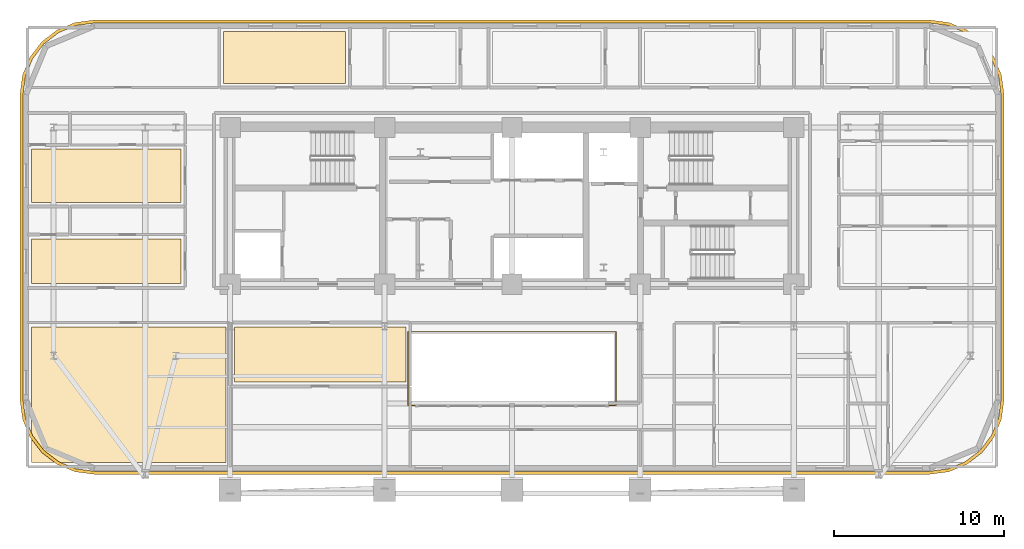
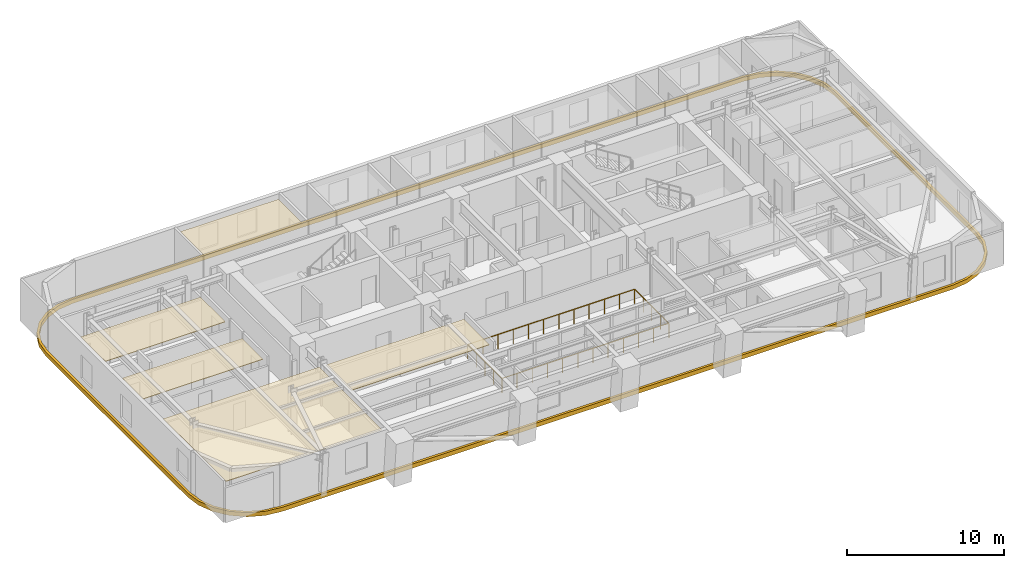
# One storey, part 13 of 15: 6 coverings, 1 railing.
"""IFC4 building model written with IfcOpenShell, lengths in metres."""

from ifc_helpers import new_model, si_unit, direction, frame, origin, origin_2d, place, context, subcontext, project, spatial, polyline, rectangle, outline, extrude, material, layer, layer_set, type_object, element, save


model = new_model("IFC4")

# Units and contexts
model_context = context("Model", 3, precision=1e-05, world=origin(), true_north=direction((0.0, 1.0)))
body_context = subcontext(model_context, "Body", "Model", "MODEL_VIEW")
ifc_project = project(units=[si_unit("LENGTHUNIT", "METRE"), si_unit("AREAUNIT", "SQUARE_METRE"), si_unit("VOLUMEUNIT", "CUBIC_METRE"), si_unit("PLANEANGLEUNIT", "RADIAN"), si_unit("MASSUNIT", "GRAM", prefix="KILO")], contexts=[model_context])

# Site, building, storey
site_placement = place(None, origin())
site = spatial("IfcSite", under=ifc_project, at=site_placement, CompositionType="ELEMENT")
building_placement = place(site_placement, origin())
building = spatial("IfcBuilding", under=site, at=building_placement, Name="Zarnavel Station Tower", CompositionType="ELEMENT")
storey_placement = place(building_placement, frame((0.0, 0.0, 115.300048828125)))
storey = spatial("IfcBuildingStorey", under=building, at=storey_placement, Name="L31", CompositionType="ELEMENT", Elevation=115.300048828125)

# Coverings
ifc_material_1 = material(Name="Perforated Gypsum and Mineral-Wool Acoustic Ceiling", Category="concrete")
ifc_layer = layer(ifc_material_1, 0.0400390625)
ifc_layer_set = layer_set([ifc_layer], Name="COV_CEIL_ACOUSTIC")
covering_type_1 = type_object("IfcCoveringType", Name="COV_CEIL_ACOUSTIC", PredefinedType="CEILING", material=ifc_layer_set)
covering_1_placement = place(storey_placement, frame((0.0, 0.0, 2.919921875)))
element("IfcCovering", 1, at=covering_1_placement, inside=storey, type_object=covering_type_1, Name="L31 FNW1R Acoustic Ceiling", PredefinedType="CEILING", context=body_context, shape_type="SweptSolid", body=[
    extrude(outline(polyline([(0.510009765625, 27.85009765625), (9.300048828125, 27.85009765625), (9.300048828125, 30.490966796875), (0.510009765625, 30.490966796875), (0.510009765625, 27.85009765625)])), origin(), (0.0, 0.0, 1.0), 0.0400390625),
])
covering_2_placement = place(storey_placement, frame((0.0, 0.0, 2.919921875)))
element("IfcCovering", 2, at=covering_2_placement, inside=storey, type_object=covering_type_1, Name="L31 FNW2R Acoustic Ceiling", PredefinedType="CEILING", context=body_context, shape_type="SweptSolid", body=[
    extrude(outline(polyline([(0.510009765625, 32.64111328125), (9.300048828125, 32.64111328125), (9.300048828125, 35.777099609375), (0.510009765625, 35.777099609375), (0.510009765625, 32.64111328125)])), origin(), (0.0, 0.0, 1.0), 0.0400390625),
])
covering_3_placement = place(storey_placement, frame((0.0, 0.0, 2.919921875)))
element("IfcCovering", 3, at=covering_3_placement, inside=storey, type_object=covering_type_1, Name="L31 HN1R Acoustic Ceiling", PredefinedType="CEILING", context=body_context, shape_type="SweptSolid", body=[
    extrude(outline(polyline([(11.81005859375, 39.64990234375), (19.0, 39.64990234375), (19.0, 42.68994140625), (11.81005859375, 42.68994140625), (11.81005859375, 39.64990234375)])), origin(), (0.0, 0.0, 1.0), 0.0400390625),
])
covering_4_placement = place(storey_placement, frame((0.0, 0.0, 2.919921875)))
element("IfcCovering", 4, at=covering_4_placement, inside=storey, type_object=covering_type_1, Name="L31 Z2CLB Acoustic Ceiling", PredefinedType="CEILING", context=body_context, shape_type="SweptSolid", body=[
    extrude(outline(polyline([(0.510009765625, 17.31005859375), (11.949951171875, 17.31005859375), (11.949951171875, 25.300048828125), (0.510009765625, 25.300048828125), (0.510009765625, 17.31005859375)])), origin(), (0.0, 0.0, 1.0), 0.0400390625),
])
covering_5_placement = place(storey_placement, frame((0.0, 0.0, 2.919921875)))
element("IfcCovering", 5, at=covering_5_placement, inside=storey, type_object=covering_type_1, Name="L31 Z2KIT Acoustic Ceiling", PredefinedType="CEILING", context=body_context, shape_type="SweptSolid", body=[
    extrude(outline(polyline([(12.449951171875, 22.050048828125), (22.550048828125, 22.050048828125), (22.550048828125, 25.300048828125), (12.449951171875, 25.300048828125), (12.449951171875, 22.050048828125)])), origin(), (0.0, 0.0, 1.0), 0.0400390625),
])
ifc_material_2 = material(Name="Precast concrete C45/55 (Pale Travertine Slab Band)", Category="masonry")
covering_type_2 = type_object("IfcCoveringType", Name="COV_TRAVERTINE_BAND", PredefinedType="CLADDING", material=ifc_material_2)
covering_6_placement = place(storey_placement, frame((0.0, 0.0, -0.260009765625)))
element("IfcCovering", 6, at=covering_6_placement, inside=storey, type_object=covering_type_2, Name="L31 Pale Travertine Slab-Edge Band", PredefinedType="CLADDING", context=body_context, shape_type="SweptSolid", body=[
    extrude(outline(polyline([(53.39990234375, 16.6201171875), (54.53369140625, 16.769287109375), (55.590087890625, 17.206787109375), (56.4970703125, 17.90283203125), (57.193115234375, 18.81005859375), (57.630859375, 19.866455078125), (57.780029296875, 21.0), (57.780029296875, 39.0), (57.630859375, 40.133544921875), (57.193115234375, 41.18994140625), (56.4970703125, 42.09716796875), (55.590087890625, 42.793212890625), (54.53369140625, 43.230712890625), (53.39990234375, 43.3798828125), (4.199951171875, 43.3798828125), (3.06640625, 43.230712890625), (2.010009765625, 42.793212890625), (1.102783203125, 42.09716796875), (0.40673828125, 41.18994140625), (-0.03076171875, 40.133544921875), (-0.179931640625, 39.0), (-0.179931640625, 21.0), (-0.03076171875, 19.866455078125), (0.40673828125, 18.81005859375), (1.102783203125, 17.90283203125), (2.010009765625, 17.206787109375), (3.06640625, 16.769287109375), (4.199951171875, 16.6201171875), (53.39990234375, 16.6201171875)]), holes=[polyline([(53.39990234375, 16.800048828125), (54.487060546875, 16.943115234375), (55.5, 17.36279296875), (56.369873046875, 18.0302734375), (57.037353515625, 18.89990234375), (57.456787109375, 19.9130859375), (57.60009765625, 21.0), (57.60009765625, 39.0), (57.456787109375, 40.0869140625), (57.037353515625, 41.10009765625), (56.369873046875, 41.9697265625), (55.5, 42.63720703125), (54.487060546875, 43.056884765625), (53.39990234375, 43.199951171875), (4.199951171875, 43.199951171875), (3.113037109375, 43.056884765625), (2.10009765625, 42.63720703125), (1.230224609375, 41.9697265625), (0.562744140625, 41.10009765625), (0.14306640625, 40.0869140625), (0.0, 39.0), (0.0, 21.0), (0.14306640625, 19.9130859375), (0.562744140625, 18.89990234375), (1.230224609375, 18.0302734375), (2.10009765625, 17.36279296875), (3.113037109375, 16.943115234375), (4.199951171875, 16.800048828125), (53.39990234375, 16.800048828125)])]), origin(), (0.0, 0.0, 1.0), 0.320068359375),
])

# Railing
ifc_material_3 = material(Name="Painted Steel S355J2 Balustrade", Category="steel")
railing_type = type_object("IfcRailingType", Name="GR_INT_1150", PredefinedType="GUARDRAIL", material=ifc_material_3)
railing_placement = place(storey_placement, frame((22.679931640625, 20.679931640625, 0.0)))
element("IfcRailing", 7, at=railing_placement, inside=storey, type_object=railing_type, Name="L31 Atrium Void Guardrail", PredefinedType="GUARDRAIL", context=body_context, shape_type="SweptSolid", body=[
    extrude(rectangle(XDim=0.048095703125, YDim=0.048095703125, at=origin_2d()), frame((0.001953125, 0.0, 1.1259765625), z_axis=(1.0, 0.0, 0.0), x_axis=(0.0, 1.0, 0.0)), (0.0, 0.0, 1.0), 12.236083984375),
    extrude(rectangle(XDim=0.048095703125, YDim=0.048095703125, at=origin_2d()), frame((12.239990234375, 0.001953125, 1.1259765625), z_axis=(0.0, 1.0, 0.0), x_axis=(-1.0, 0.0, 0.0)), (0.0, 0.0, 1.0), 4.336181640625),
    extrude(rectangle(XDim=0.048095703125, YDim=0.048095703125, at=origin_2d()), frame((12.238037109375, 4.340087890625, 1.1259765625), z_axis=(-1.0, 0.0, 0.0), x_axis=(0.0, -1.0, 0.0)), (0.0, 0.0, 1.0), 12.236083984375),
    extrude(rectangle(XDim=0.048095703125, YDim=0.048095703125, at=origin_2d()), frame((0.0, 4.338134765625, 1.1259765625), z_axis=(0.0, -1.0, 0.0), x_axis=(1.0, 0.0, 0.0)), (0.0, 0.0, 1.0), 4.336181640625),
    extrude(rectangle(XDim=0.0419921875, YDim=0.0419921875, at=origin_2d()), origin(), (0.0, 0.0, 1.0), 1.101806640625),
    extrude(rectangle(XDim=0.0419921875, YDim=0.0419921875, at=origin_2d()), frame((1.11279296875, 0.0, 0.0)), (0.0, 0.0, 1.0), 1.101806640625),
    extrude(rectangle(XDim=0.0419921875, YDim=0.0419921875, at=origin_2d()), frame((2.225341796875, 0.0, 0.0)), (0.0, 0.0, 1.0), 1.101806640625),
    extrude(rectangle(XDim=0.0419921875, YDim=0.0419921875, at=origin_2d()), frame((3.338134765625, 0.0, 0.0)), (0.0, 0.0, 1.0), 1.101806640625),
    extrude(rectangle(XDim=0.0419921875, YDim=0.0419921875, at=origin_2d()), frame((4.450927734375, 0.0, 0.0)), (0.0, 0.0, 1.0), 1.101806640625),
    extrude(rectangle(XDim=0.0419921875, YDim=0.0419921875, at=origin_2d()), frame((5.563720703125, 0.0, 0.0)), (0.0, 0.0, 1.0), 1.101806640625),
    extrude(rectangle(XDim=0.0419921875, YDim=0.0419921875, at=origin_2d()), frame((6.67626953125, 0.0, 0.0)), (0.0, 0.0, 1.0), 1.101806640625),
    extrude(rectangle(XDim=0.0419921875, YDim=0.0419921875, at=origin_2d()), frame((7.7890625, 0.0, 0.0)), (0.0, 0.0, 1.0), 1.101806640625),
    extrude(rectangle(XDim=0.0419921875, YDim=0.0419921875, at=origin_2d()), frame((8.90185546875, 0.0, 0.0)), (0.0, 0.0, 1.0), 1.101806640625),
    extrude(rectangle(XDim=0.0419921875, YDim=0.0419921875, at=origin_2d()), frame((10.0146484375, 0.0, 0.0)), (0.0, 0.0, 1.0), 1.101806640625),
    extrude(rectangle(XDim=0.0419921875, YDim=0.0419921875, at=origin_2d()), frame((11.127197265625, 0.0, 0.0)), (0.0, 0.0, 1.0), 1.101806640625),
    extrude(rectangle(XDim=0.0419921875, YDim=0.0419921875, at=origin_2d()), frame((12.239990234375, 0.0, 0.0)), (0.0, 0.0, 1.0), 1.101806640625),
    extrude(rectangle(XDim=0.0419921875, YDim=0.0419921875, at=origin_2d()), frame((12.239990234375, 1.0849609375, 0.0)), (0.0, 0.0, 1.0), 1.101806640625),
    extrude(rectangle(XDim=0.0419921875, YDim=0.0419921875, at=origin_2d()), frame((12.239990234375, 2.169921875, 0.0)), (0.0, 0.0, 1.0), 1.101806640625),
    extrude(rectangle(XDim=0.0419921875, YDim=0.0419921875, at=origin_2d()), frame((12.239990234375, 3.255126953125, 0.0)), (0.0, 0.0, 1.0), 1.101806640625),
    extrude(rectangle(XDim=0.0419921875, YDim=0.0419921875, at=origin_2d()), frame((12.239990234375, 4.340087890625, 0.0)), (0.0, 0.0, 1.0), 1.101806640625),
    extrude(rectangle(XDim=0.0419921875, YDim=0.0419921875, at=origin_2d()), frame((11.127197265625, 4.340087890625, 0.0)), (0.0, 0.0, 1.0), 1.101806640625),
    extrude(rectangle(XDim=0.0419921875, YDim=0.0419921875, at=origin_2d()), frame((10.0146484375, 4.340087890625, 0.0)), (0.0, 0.0, 1.0), 1.101806640625),
    extrude(rectangle(XDim=0.0419921875, YDim=0.0419921875, at=origin_2d()), frame((8.90185546875, 4.340087890625, 0.0)), (0.0, 0.0, 1.0), 1.101806640625),
    extrude(rectangle(XDim=0.0419921875, YDim=0.0419921875, at=origin_2d()), frame((7.7890625, 4.340087890625, 0.0)), (0.0, 0.0, 1.0), 1.101806640625),
    extrude(rectangle(XDim=0.0419921875, YDim=0.0419921875, at=origin_2d()), frame((6.67626953125, 4.340087890625, 0.0)), (0.0, 0.0, 1.0), 1.101806640625),
    extrude(rectangle(XDim=0.0419921875, YDim=0.0419921875, at=origin_2d()), frame((5.563720703125, 4.340087890625, 0.0)), (0.0, 0.0, 1.0), 1.101806640625),
    extrude(rectangle(XDim=0.0419921875, YDim=0.0419921875, at=origin_2d()), frame((4.450927734375, 4.340087890625, 0.0)), (0.0, 0.0, 1.0), 1.101806640625),
    extrude(rectangle(XDim=0.0419921875, YDim=0.0419921875, at=origin_2d()), frame((3.338134765625, 4.340087890625, 0.0)), (0.0, 0.0, 1.0), 1.101806640625),
    extrude(rectangle(XDim=0.0419921875, YDim=0.0419921875, at=origin_2d()), frame((2.225341796875, 4.340087890625, 0.0)), (0.0, 0.0, 1.0), 1.101806640625),
    extrude(rectangle(XDim=0.0419921875, YDim=0.0419921875, at=origin_2d()), frame((1.11279296875, 4.340087890625, 0.0)), (0.0, 0.0, 1.0), 1.101806640625),
    extrude(rectangle(XDim=0.0419921875, YDim=0.0419921875, at=origin_2d()), frame((0.0, 4.340087890625, 0.0)), (0.0, 0.0, 1.0), 1.101806640625),
    extrude(rectangle(XDim=0.0419921875, YDim=0.0419921875, at=origin_2d()), frame((0.0, 3.255126953125, 0.0)), (0.0, 0.0, 1.0), 1.101806640625),
    extrude(rectangle(XDim=0.0419921875, YDim=0.0419921875, at=origin_2d()), frame((0.0, 2.169921875, 0.0)), (0.0, 0.0, 1.0), 1.101806640625),
    extrude(rectangle(XDim=0.0419921875, YDim=0.0419921875, at=origin_2d()), frame((0.0, 1.0849609375, 0.0)), (0.0, 0.0, 1.0), 1.101806640625),
])

save(model, "model.ifc")
